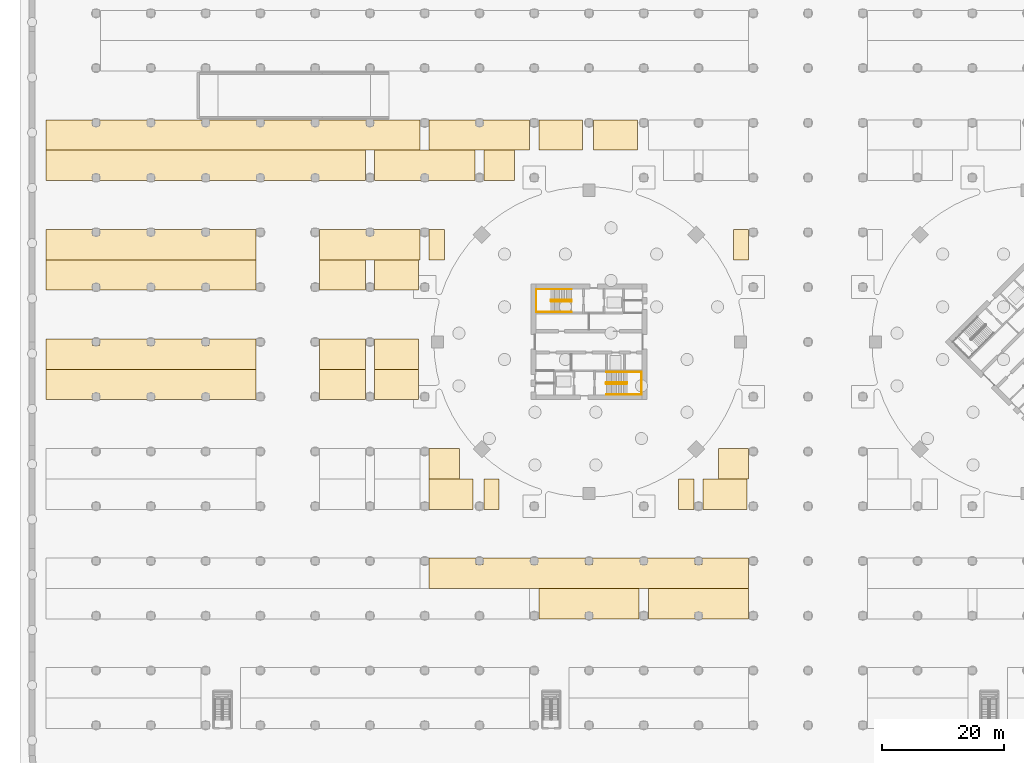
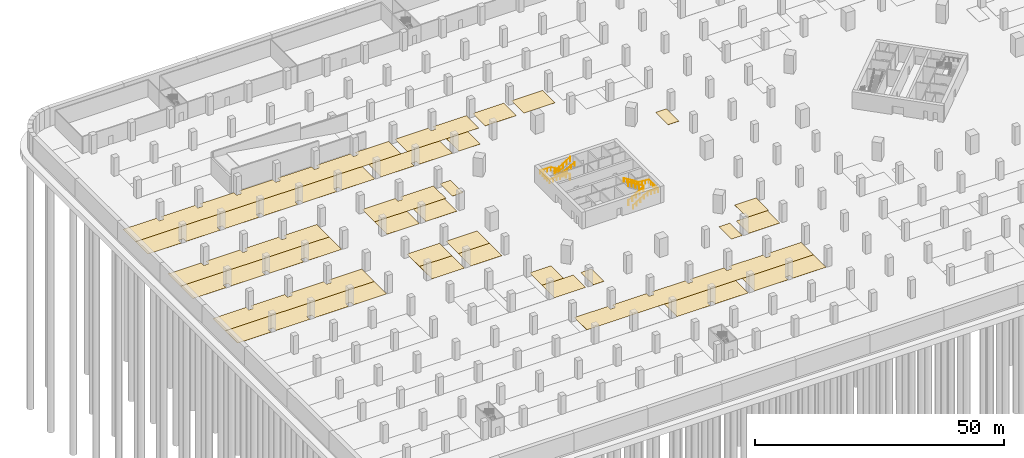
# One storey, part 28 of 39: 29 coverings, 4 railings.
"""IFC4 building model written with IfcOpenShell, lengths in metres."""

from ifc_helpers import new_model, si_unit, direction, frame, origin, origin_2d, place, context, subcontext, project, spatial, polyline, circle, outline, extrude, material, layer, layer_set, type_object, element, save


model = new_model("IFC4")

# Units and contexts
model_context = context("Model", 3, precision=1e-05, world=origin(), true_north=direction((0.0, 1.0)))
body_context = subcontext(model_context, "Body", "Model", "MODEL_VIEW")
ifc_project = project(units=[si_unit("LENGTHUNIT", "METRE"), si_unit("AREAUNIT", "SQUARE_METRE"), si_unit("VOLUMEUNIT", "CUBIC_METRE"), si_unit("PLANEANGLEUNIT", "RADIAN"), si_unit("MASSUNIT", "GRAM", prefix="KILO")], contexts=[model_context])

# Site, building, storey
site_placement = place(None, origin())
site = spatial("IfcSite", under=ifc_project, at=site_placement, CompositionType="ELEMENT")
building_placement = place(site_placement, origin())
building = spatial("IfcBuilding", under=site, at=building_placement, Name="Ogive Gate Towers", CompositionType="ELEMENT")
storey_placement = place(building_placement, frame((0.0, 0.0, -9.0)))
storey = spatial("IfcBuildingStorey", under=building, at=storey_placement, Name="B2", CompositionType="ELEMENT", Elevation=-9.0)

# Coverings
ifc_material_1 = material(Name="Painted floor marking")
ifc_layer_1 = layer(ifc_material_1, 0.02001953125)
ifc_layer_set_1 = layer_set([ifc_layer_1], Name="Accessible bay marking")
covering_type_1 = type_object("IfcCoveringType", Name="Accessible bay marking", PredefinedType="FLOORING", material=ifc_layer_set_1)
covering_1_placement = place(storey_placement, origin())
element("IfcCovering", 1, at=covering_1_placement, inside=storey, type_object=covering_type_1, Name="Accessible parking bays B2-078 to B2-079", PredefinedType="FLOORING", context=body_context, shape_type="SweptSolid", body=[
    extrude(outline(polyline([(-64.050048828125, 13.5), (-64.050048828125, 8.5), (-71.25, 8.5), (-71.25, 13.5), (-64.050048828125, 13.5)])), origin(), (0.0, 0.0, 1.0), 0.02001953125),
])
covering_2_placement = place(storey_placement, origin())
element("IfcCovering", 2, at=covering_2_placement, inside=storey, type_object=covering_type_1, Name="Accessible parking bays B2-191 to B2-192", PredefinedType="FLOORING", context=body_context, shape_type="SweptSolid", body=[
    extrude(outline(polyline([(-64.050048828125, -4.5), (-64.050048828125, -9.5), (-71.25, -9.5), (-71.25, -4.5), (-64.050048828125, -4.5)])), origin(), (0.0, 0.0, 1.0), 0.02001953125),
])
covering_3_placement = place(storey_placement, origin())
element("IfcCovering", 3, at=covering_3_placement, inside=storey, type_object=covering_type_1, Name="Accessible parking bays B2-228 to B2-229", PredefinedType="FLOORING", context=body_context, shape_type="SweptSolid", body=[
    extrude(outline(polyline([(-55.050048828125, -27.5), (-62.25, -27.5), (-62.25, -22.5), (-55.050048828125, -22.5), (-55.050048828125, -27.5)])), origin(), (0.0, 0.0, 1.0), 0.02001953125),
])
covering_4_placement = place(storey_placement, origin())
element("IfcCovering", 4, at=covering_4_placement, inside=storey, type_object=covering_type_1, Name="Accessible parking bays B2-232 to B2-233", PredefinedType="FLOORING", context=body_context, shape_type="SweptSolid", body=[
    extrude(outline(polyline([(-10.050048828125, -27.5), (-17.25, -27.5), (-17.25, -22.5), (-10.050048828125, -22.5), (-10.050048828125, -27.5)])), origin(), (0.0, 0.0, 1.0), 0.02001953125),
])
covering_5_placement = place(storey_placement, origin())
element("IfcCovering", 5, at=covering_5_placement, inside=storey, type_object=covering_type_1, Name="Accessible parking bays B2-458 to B2-459", PredefinedType="FLOORING", context=body_context, shape_type="SweptSolid", body=[
    extrude(outline(polyline([(-64.050048828125, 0.5), (-64.050048828125, -4.5), (-71.25, -4.5), (-71.25, 0.5), (-64.050048828125, 0.5)])), origin(), (0.0, 0.0, 1.0), 0.02001953125),
])
covering_6_placement = place(storey_placement, origin())
element("IfcCovering", 6, at=covering_6_placement, inside=storey, type_object=covering_type_1, Name="Accessible parking bays B2-504 to B2-505", PredefinedType="FLOORING", context=body_context, shape_type="SweptSolid", body=[
    extrude(outline(polyline([(-37.050048828125, 36.5), (-37.050048828125, 31.5), (-44.25, 31.5), (-44.25, 36.5), (-37.050048828125, 36.5)])), origin(), (0.0, 0.0, 1.0), 0.02001953125),
])
covering_7_placement = place(storey_placement, origin())
element("IfcCovering", 7, at=covering_7_placement, inside=storey, type_object=covering_type_1, Name="Accessible parking bays B2-506 to B2-507", PredefinedType="FLOORING", context=body_context, shape_type="SweptSolid", body=[
    extrude(outline(polyline([(-28.050048828125, 31.5), (-35.25, 31.5), (-35.25, 36.5), (-28.050048828125, 36.5), (-28.050048828125, 31.5)])), origin(), (0.0, 0.0, 1.0), 0.02001953125),
])
ifc_layer_2 = layer(ifc_material_1, 0.02001953125)
ifc_layer_set_2 = layer_set([ifc_layer_2], Name="Charging bay marking")
covering_type_2 = type_object("IfcCoveringType", Name="Charging bay marking", PredefinedType="FLOORING", material=ifc_layer_set_2)
covering_8_placement = place(storey_placement, origin())
element("IfcCovering", 8, at=covering_8_placement, inside=storey, type_object=covering_type_2, Name="Charging bays B2-019 to B2-024", PredefinedType="FLOORING", context=body_context, shape_type="SweptSolid", body=[
    extrude(outline(polyline([(-71.25, 31.5), (-54.75, 31.5), (-54.75, 26.5), (-62.449951171875, 26.5), (-62.449951171875, 27.550048828125), (-63.550048828125, 27.550048828125), (-63.550048828125, 26.5), (-71.25, 26.5), (-71.25, 31.5)])), origin(), (0.0, 0.0, 1.0), 0.02001953125),
])
covering_9_placement = place(storey_placement, origin())
element("IfcCovering", 9, at=covering_9_placement, inside=storey, type_object=covering_type_2, Name="Charging bays B2-075 to B2-077", PredefinedType="FLOORING", context=body_context, shape_type="SweptSolid", body=[
    extrude(outline(polyline([(-72.75, 13.5), (-72.75, 8.5), (-80.25, 8.5), (-80.25, 13.5), (-72.75, 13.5)])), origin(), (0.0, 0.0, 1.0), 0.02001953125),
])
covering_10_placement = place(storey_placement, origin())
element("IfcCovering", 10, at=covering_10_placement, inside=storey, type_object=covering_type_2, Name="Charging bays B2-188 to B2-190", PredefinedType="FLOORING", context=body_context, shape_type="SweptSolid", body=[
    extrude(outline(polyline([(-72.75, -4.5), (-72.75, -9.5), (-80.25, -9.5), (-80.25, -4.5), (-72.75, -4.5)])), origin(), (0.0, 0.0, 1.0), 0.02001953125),
])
covering_11_placement = place(storey_placement, origin())
element("IfcCovering", 11, at=covering_11_placement, inside=storey, type_object=covering_type_2, Name="Charging bays B2-285 to B2-290", PredefinedType="FLOORING", context=body_context, shape_type="SweptSolid", body=[
    extrude(outline(polyline([(-44.25, -40.5), (-27.75, -40.5), (-27.75, -45.5), (-35.449951171875, -45.5), (-35.449951171875, -44.449951171875), (-36.550048828125, -44.449951171875), (-36.550048828125, -45.5), (-44.25, -45.5), (-44.25, -40.5)])), origin(), (0.0, 0.0, 1.0), 0.02001953125),
])
covering_12_placement = place(storey_placement, origin())
element("IfcCovering", 12, at=covering_12_placement, inside=storey, type_object=covering_type_2, Name="Charging bays B2-415 to B2-420", PredefinedType="FLOORING", context=body_context, shape_type="SweptSolid", body=[
    extrude(outline(polyline([(-80.25, 18.5), (-72.550048828125, 18.5), (-72.550048828125, 17.449951171875), (-71.449951171875, 17.449951171875), (-71.449951171875, 18.5), (-63.75, 18.5), (-63.75, 13.5), (-80.25, 13.5), (-80.25, 18.5)])), origin(), (0.0, 0.0, 1.0), 0.02001953125),
])
covering_13_placement = place(storey_placement, origin())
element("IfcCovering", 13, at=covering_13_placement, inside=storey, type_object=covering_type_2, Name="Charging bays B2-455 to B2-457", PredefinedType="FLOORING", context=body_context, shape_type="SweptSolid", body=[
    extrude(outline(polyline([(-72.75, 0.5), (-72.75, -4.5), (-80.25, -4.5), (-80.25, 0.5), (-72.75, 0.5)])), origin(), (0.0, 0.0, 1.0), 0.02001953125),
])
covering_14_placement = place(storey_placement, origin())
element("IfcCovering", 14, at=covering_14_placement, inside=storey, type_object=covering_type_2, Name="Charging bays B2-498 to B2-503", PredefinedType="FLOORING", context=body_context, shape_type="SweptSolid", body=[
    extrude(outline(polyline([(-62.25, 36.5), (-54.550048828125, 36.5), (-54.550048828125, 35.449951171875), (-53.449951171875, 35.449951171875), (-53.449951171875, 36.5), (-45.75, 36.5), (-45.75, 31.5), (-62.25, 31.5), (-62.25, 36.5)])), origin(), (0.0, 0.0, 1.0), 0.02001953125),
])
covering_15_placement = place(storey_placement, origin())
element("IfcCovering", 15, at=covering_15_placement, inside=storey, type_object=covering_type_2, Name="Charging bays B2-692 to B2-709", PredefinedType="FLOORING", context=body_context, shape_type="SweptSolid", body=[
    extrude(outline(polyline([(-62.25, -35.5), (-54.550048828125, -35.5), (-54.550048828125, -36.550048828125), (-53.449951171875, -36.550048828125), (-53.449951171875, -35.5), (-45.550048828125, -35.5), (-45.550048828125, -36.550048828125), (-44.449951171875, -36.550048828125), (-44.449951171875, -35.5), (-36.550048828125, -35.5), (-36.550048828125, -36.550048828125), (-35.449951171875, -36.550048828125), (-35.449951171875, -35.5), (-27.550048828125, -35.5), (-27.550048828125, -36.550048828125), (-26.449951171875, -36.550048828125), (-26.449951171875, -35.5), (-18.550048828125, -35.5), (-18.550048828125, -36.550048828125), (-17.449951171875, -36.550048828125), (-17.449951171875, -35.5), (-9.75, -35.5), (-9.75, -40.5), (-62.25, -40.5), (-62.25, -35.5)])), origin(), (0.0, 0.0, 1.0), 0.02001953125),
])
ifc_layer_3 = layer(ifc_material_1, 0.02001953125)
ifc_layer_set_3 = layer_set([ifc_layer_3], Name="Parking bay marking")
covering_type_3 = type_object("IfcCoveringType", Name="Parking bay marking", PredefinedType="FLOORING", material=ifc_layer_set_3)
covering_16_placement = place(storey_placement, origin())
element("IfcCovering", 16, at=covering_16_placement, inside=storey, type_object=covering_type_3, Name="Parking bays B2-001 to B2-018", PredefinedType="FLOORING", context=body_context, shape_type="SweptSolid", body=[
    extrude(outline(polyline([(-125.25, 31.5), (-72.75, 31.5), (-72.75, 26.5), (-80.449951171875, 26.5), (-80.449951171875, 27.550048828125), (-81.550048828125, 27.550048828125), (-81.550048828125, 26.5), (-89.449951171875, 26.5), (-89.449951171875, 27.550048828125), (-90.550048828125, 27.550048828125), (-90.550048828125, 26.5), (-98.449951171875, 26.5), (-98.449951171875, 27.550048828125), (-99.550048828125, 27.550048828125), (-99.550048828125, 26.5), (-107.449951171875, 26.5), (-107.449951171875, 27.550048828125), (-108.550048828125, 27.550048828125), (-108.550048828125, 26.5), (-116.449951171875, 26.5), (-116.449951171875, 27.550048828125), (-117.550048828125, 27.550048828125), (-117.550048828125, 26.5), (-125.25, 26.5), (-125.25, 31.5)])), origin(), (0.0, 0.0, 1.0), 0.02001953125),
])
covering_17_placement = place(storey_placement, origin())
element("IfcCovering", 17, at=covering_17_placement, inside=storey, type_object=covering_type_3, Name="Parking bays B2-025 to B2-026", PredefinedType="FLOORING", context=body_context, shape_type="SweptSolid", body=[
    extrude(outline(polyline([(-53.25, 31.5), (-48.25, 31.5), (-48.25, 26.5), (-53.25, 26.5), (-53.25, 31.5)])), origin(), (0.0, 0.0, 1.0), 0.02001953125),
])
covering_18_placement = place(storey_placement, origin())
element("IfcCovering", 18, at=covering_18_placement, inside=storey, type_object=covering_type_3, Name="Parking bays B2-063 to B2-074", PredefinedType="FLOORING", context=body_context, shape_type="SweptSolid", body=[
    extrude(outline(polyline([(-125.25, 13.5), (-90.75, 13.5), (-90.75, 8.5), (-98.449951171875, 8.5), (-98.449951171875, 9.550048828125), (-99.550048828125, 9.550048828125), (-99.550048828125, 8.5), (-107.449951171875, 8.5), (-107.449951171875, 9.550048828125), (-108.550048828125, 9.550048828125), (-108.550048828125, 8.5), (-116.449951171875, 8.5), (-116.449951171875, 9.550048828125), (-117.550048828125, 9.550048828125), (-117.550048828125, 8.5), (-125.25, 8.5), (-125.25, 13.5)])), origin(), (0.0, 0.0, 1.0), 0.02001953125),
])
covering_19_placement = place(storey_placement, origin())
element("IfcCovering", 19, at=covering_19_placement, inside=storey, type_object=covering_type_3, Name="Parking bays B2-176 to B2-187", PredefinedType="FLOORING", context=body_context, shape_type="SweptSolid", body=[
    extrude(outline(polyline([(-125.25, -4.5), (-90.75, -4.5), (-90.75, -9.5), (-98.449951171875, -9.5), (-98.449951171875, -8.449951171875), (-99.550048828125, -8.449951171875), (-99.550048828125, -9.5), (-107.449951171875, -9.5), (-107.449951171875, -8.449951171875), (-108.550048828125, -8.449951171875), (-108.550048828125, -9.5), (-116.449951171875, -9.5), (-116.449951171875, -8.449951171875), (-117.550048828125, -8.449951171875), (-117.550048828125, -9.5), (-125.25, -9.5), (-125.25, -4.5)])), origin(), (0.0, 0.0, 1.0), 0.02001953125),
])
covering_20_placement = place(storey_placement, origin())
element("IfcCovering", 20, at=covering_20_placement, inside=storey, type_object=covering_type_3, Name="Parking bay B2-230", PredefinedType="FLOORING", context=body_context, shape_type="SweptSolid", body=[
    extrude(outline(polyline([(-53.25, -22.5), (-50.75, -22.5), (-50.75, -27.5), (-53.25, -27.5), (-53.25, -22.5)])), origin(), (0.0, 0.0, 1.0), 0.02001953125),
])
covering_21_placement = place(storey_placement, origin())
element("IfcCovering", 21, at=covering_21_placement, inside=storey, type_object=covering_type_3, Name="Parking bay B2-231", PredefinedType="FLOORING", context=body_context, shape_type="SweptSolid", body=[
    extrude(outline(polyline([(-21.25, -22.5), (-18.75, -22.5), (-18.75, -27.5), (-21.25, -27.5), (-21.25, -22.5)])), origin(), (0.0, 0.0, 1.0), 0.02001953125),
])
covering_22_placement = place(storey_placement, origin())
element("IfcCovering", 22, at=covering_22_placement, inside=storey, type_object=covering_type_3, Name="Parking bays B2-291 to B2-296", PredefinedType="FLOORING", context=body_context, shape_type="SweptSolid", body=[
    extrude(outline(polyline([(-9.75, -40.5), (-9.75, -45.5), (-17.449951171875, -45.5), (-17.449951171875, -44.449951171875), (-18.550048828125, -44.449951171875), (-18.550048828125, -45.5), (-26.25, -45.5), (-26.25, -40.5), (-9.75, -40.5)])), origin(), (0.0, 0.0, 1.0), 0.02001953125),
])
covering_23_placement = place(storey_placement, origin())
element("IfcCovering", 23, at=covering_23_placement, inside=storey, type_object=covering_type_3, Name="Parking bays B2-403 to B2-414", PredefinedType="FLOORING", context=body_context, shape_type="SweptSolid", body=[
    extrude(outline(polyline([(-125.25, 18.5), (-117.550048828125, 18.5), (-117.550048828125, 17.449951171875), (-116.449951171875, 17.449951171875), (-116.449951171875, 18.5), (-108.550048828125, 18.5), (-108.550048828125, 17.449951171875), (-107.449951171875, 17.449951171875), (-107.449951171875, 18.5), (-99.550048828125, 18.5), (-99.550048828125, 17.449951171875), (-98.449951171875, 17.449951171875), (-98.449951171875, 18.5), (-90.75, 18.5), (-90.75, 13.5), (-125.25, 13.5), (-125.25, 18.5)])), origin(), (0.0, 0.0, 1.0), 0.02001953125),
])
covering_24_placement = place(storey_placement, origin())
element("IfcCovering", 24, at=covering_24_placement, inside=storey, type_object=covering_type_3, Name="Parking bay B2-421", PredefinedType="FLOORING", context=body_context, shape_type="SweptSolid", body=[
    extrude(outline(polyline([(-62.25, 18.5), (-59.75, 18.5), (-59.75, 13.5), (-62.25, 13.5), (-62.25, 18.5)])), origin(), (0.0, 0.0, 1.0), 0.02001953125),
])
covering_25_placement = place(storey_placement, origin())
element("IfcCovering", 25, at=covering_25_placement, inside=storey, type_object=covering_type_3, Name="Parking bay B2-422", PredefinedType="FLOORING", context=body_context, shape_type="SweptSolid", body=[
    extrude(outline(polyline([(-12.25, 18.5), (-9.75, 18.5), (-9.75, 13.5), (-12.25, 13.5), (-12.25, 18.5)])), origin(), (0.0, 0.0, 1.0), 0.02001953125),
])
covering_26_placement = place(storey_placement, origin())
element("IfcCovering", 26, at=covering_26_placement, inside=storey, type_object=covering_type_3, Name="Parking bays B2-443 to B2-454", PredefinedType="FLOORING", context=body_context, shape_type="SweptSolid", body=[
    extrude(outline(polyline([(-125.25, 0.5), (-117.550048828125, 0.5), (-117.550048828125, -0.550048828125), (-116.449951171875, -0.550048828125), (-116.449951171875, 0.5), (-108.550048828125, 0.5), (-108.550048828125, -0.550048828125), (-107.449951171875, -0.550048828125), (-107.449951171875, 0.5), (-99.550048828125, 0.5), (-99.550048828125, -0.550048828125), (-98.449951171875, -0.550048828125), (-98.449951171875, 0.5), (-90.75, 0.5), (-90.75, -4.5), (-125.25, -4.5), (-125.25, 0.5)])), origin(), (0.0, 0.0, 1.0), 0.02001953125),
])
covering_27_placement = place(storey_placement, origin())
element("IfcCovering", 27, at=covering_27_placement, inside=storey, type_object=covering_type_3, Name="Parking bays B2-477 to B2-497", PredefinedType="FLOORING", context=body_context, shape_type="SweptSolid", body=[
    extrude(outline(polyline([(-125.25, 36.5), (-117.550048828125, 36.5), (-117.550048828125, 35.449951171875), (-116.449951171875, 35.449951171875), (-116.449951171875, 36.5), (-108.550048828125, 36.5), (-108.550048828125, 35.449951171875), (-107.449951171875, 35.449951171875), (-107.449951171875, 36.5), (-99.550048828125, 36.5), (-99.550048828125, 35.449951171875), (-98.449951171875, 35.449951171875), (-98.449951171875, 36.5), (-90.550048828125, 36.5), (-90.550048828125, 35.449951171875), (-89.449951171875, 35.449951171875), (-89.449951171875, 36.5), (-81.550048828125, 36.5), (-81.550048828125, 35.449951171875), (-80.449951171875, 35.449951171875), (-80.449951171875, 36.5), (-72.550048828125, 36.5), (-72.550048828125, 35.449951171875), (-71.449951171875, 35.449951171875), (-71.449951171875, 36.5), (-63.75, 36.5), (-63.75, 31.5), (-125.25, 31.5), (-125.25, 36.5)])), origin(), (0.0, 0.0, 1.0), 0.02001953125),
])
covering_28_placement = place(storey_placement, origin())
element("IfcCovering", 28, at=covering_28_placement, inside=storey, type_object=covering_type_3, Name="Parking bays B2-645 to B2-646", PredefinedType="FLOORING", context=body_context, shape_type="SweptSolid", body=[
    extrude(outline(polyline([(-62.25, -17.5), (-57.25, -17.5), (-57.25, -22.5), (-62.25, -22.5), (-62.25, -17.5)])), origin(), (0.0, 0.0, 1.0), 0.02001953125),
])
covering_29_placement = place(storey_placement, origin())
element("IfcCovering", 29, at=covering_29_placement, inside=storey, type_object=covering_type_3, Name="Parking bays B2-647 to B2-648", PredefinedType="FLOORING", context=body_context, shape_type="SweptSolid", body=[
    extrude(outline(polyline([(-14.75, -17.5), (-9.75, -17.5), (-9.75, -22.5), (-14.75, -22.5), (-14.75, -17.5)])), origin(), (0.0, 0.0, 1.0), 0.02001953125),
])

# Railings
ifc_material_2 = material(Name="Stainless steel", Category="steel")
railing_type_1 = type_object("IfcRailingType", Name="Stair guard 1100", PredefinedType="GUARDRAIL", material=ifc_material_2)
railing_1_placement = place(storey_placement, frame((-38.81494140625, 6.860107421875, 0.0)))
element("IfcRailing", 30, at=railing_1_placement, inside=storey, type_object=railing_type_1, Name="B2 ST1 stair guard 1", PredefinedType="GUARDRAIL", context=body_context, shape_type="SweptSolid", body=[
    extrude(circle(Radius=0.02392578125, at=origin_2d()), frame((0.0, 0.0, 1.076171875), z_axis=(0.0, -1.0, 0.0), x_axis=(1.0, 0.0, 0.0)), (0.0, 0.0, 1.0), 0.14501953125),
    extrude(circle(Radius=0.02392578125, at=origin_2d()), frame((0.0, -0.14501953125, 1.076171875), z_axis=(-0.188597165029, 0.734148964356, 0.652270195148), x_axis=(-0.968551454522, -0.24881334358, 0.0)), (0.0, 0.0, 1.0), 0.265380859375),
    extrude(circle(Radius=0.02392578125, at=origin_2d()), frame((-0.050048828125, 0.0498046875, 1.2490234375), z_axis=(-0.850623216509, 0.0, 0.525775754039), x_axis=(0.0, -1.0, 0.0)), (0.0, 0.0, 1.0), 3.9501953125),
    extrude(circle(Radius=0.02392578125, at=origin_2d()), frame((-3.41015625, 0.0498046875, 3.326171875), z_axis=(-0.707106781187, -0.707106781187, 0.0), x_axis=(0.707106781187, -0.707106781187, 0.0)), (0.0, 0.0, 1.0), 0.0703125),
    extrude(circle(Radius=0.02392578125, at=origin_2d()), frame((-3.4599609375, 0.0, 3.326171875), z_axis=(0.0, -1.0, 0.0), x_axis=(1.0, 0.0, 0.0)), (0.0, 0.0, 1.0), 0.14501953125),
    extrude(circle(Radius=0.02392578125, at=origin_2d()), frame((-3.4599609375, -0.14501953125, 3.326171875), z_axis=(0.266417085129, -0.267723051232, 0.925929967433), x_axis=(0.708833529934, 0.705375805398, 0.0)), (0.0, 0.0, 1.0), 0.18701171875),
    extrude(circle(Radius=0.02392578125, at=origin_2d()), frame((-3.41015625, -0.195068359375, 3.4990234375), z_axis=(0.850623216509, 0.0, 0.525775754039), x_axis=(0.0, 1.0, 0.0)), (0.0, 0.0, 1.0), 3.9501953125),
    extrude(circle(Radius=0.02099609375, at=origin_2d()), origin(), (0.0, 0.0, 1.0), 1.052001953125),
    extrude(circle(Radius=0.02099609375, at=origin_2d()), frame((0.0, -0.14501953125, 0.0)), (0.0, 0.0, 1.0), 1.052001953125),
    extrude(circle(Radius=0.02099609375, at=origin_2d()), frame((-0.050048828125, 0.0498046875, 0.173095703125)), (0.0, 0.0, 1.0), 1.052001953125),
    extrude(circle(Radius=0.02099609375, at=origin_2d()), frame((-0.89013671875, 0.0498046875, 0.6923828125)), (0.0, 0.0, 1.0), 1.052001953125),
    extrude(circle(Radius=0.02099609375, at=origin_2d()), frame((-1.72998046875, 0.0498046875, 1.21142578125)), (0.0, 0.0, 1.0), 1.052001953125),
    extrude(circle(Radius=0.02099609375, at=origin_2d()), frame((-2.570068359375, 0.0498046875, 1.730712890625)), (0.0, 0.0, 1.0), 1.052001953125),
    extrude(circle(Radius=0.02099609375, at=origin_2d()), frame((-3.41015625, 0.0498046875, 2.25)), (0.0, 0.0, 1.0), 1.052001953125),
    extrude(circle(Radius=0.02099609375, at=origin_2d()), frame((-3.4599609375, 0.0, 2.25)), (0.0, 0.0, 1.0), 1.052001953125),
    extrude(circle(Radius=0.02099609375, at=origin_2d()), frame((-3.4599609375, -0.14501953125, 2.25)), (0.0, 0.0, 1.0), 1.052001953125),
    extrude(circle(Radius=0.02099609375, at=origin_2d()), frame((-3.41015625, -0.195068359375, 2.423095703125)), (0.0, 0.0, 1.0), 1.052001953125),
    extrude(circle(Radius=0.02099609375, at=origin_2d()), frame((-2.570068359375, -0.195068359375, 2.9423828125)), (0.0, 0.0, 1.0), 1.052001953125),
    extrude(circle(Radius=0.02099609375, at=origin_2d()), frame((-1.72998046875, -0.195068359375, 3.46142578125)), (0.0, 0.0, 1.0), 1.052001953125),
    extrude(circle(Radius=0.02099609375, at=origin_2d()), frame((-0.89013671875, -0.195068359375, 3.980712890625)), (0.0, 0.0, 1.0), 1.052001953125),
    extrude(circle(Radius=0.02099609375, at=origin_2d()), frame((-0.050048828125, -0.195068359375, 4.5)), (0.0, 0.0, 1.0), 1.052001953125),
])
railing_2_placement = place(storey_placement, frame((-33.18505859375, -6.860107421875, 0.0)))
element("IfcRailing", 31, at=railing_2_placement, inside=storey, type_object=railing_type_1, Name="B2 ST2 stair guard 1", PredefinedType="GUARDRAIL", context=body_context, shape_type="SweptSolid", body=[
    extrude(circle(Radius=0.02392578125, at=origin_2d()), frame((0.0, 0.0, 1.076171875), z_axis=(0.0, 1.0, 0.0), x_axis=(-1.0, 0.0, 0.0)), (0.0, 0.0, 1.0), 0.14501953125),
    extrude(circle(Radius=0.02392578125, at=origin_2d()), frame((0.0, 0.14501953125, 1.076171875), z_axis=(0.188597165029, -0.734148964356, 0.652270195148), x_axis=(0.968551454522, 0.24881334358, 0.0)), (0.0, 0.0, 1.0), 0.265380859375),
    extrude(circle(Radius=0.02392578125, at=origin_2d()), frame((0.050048828125, -0.0498046875, 1.2490234375), z_axis=(0.850623216509, 0.0, 0.525775754039), x_axis=(0.0, 1.0, 0.0)), (0.0, 0.0, 1.0), 3.9501953125),
    extrude(circle(Radius=0.02392578125, at=origin_2d()), frame((3.41015625, -0.0498046875, 3.326171875), z_axis=(0.707106781187, 0.707106781187, 0.0), x_axis=(-0.707106781187, 0.707106781187, 0.0)), (0.0, 0.0, 1.0), 0.0703125),
    extrude(circle(Radius=0.02392578125, at=origin_2d()), frame((3.4599609375, 0.0, 3.326171875), z_axis=(0.0, 1.0, 0.0), x_axis=(-1.0, 0.0, 0.0)), (0.0, 0.0, 1.0), 0.14501953125),
    extrude(circle(Radius=0.02392578125, at=origin_2d()), frame((3.4599609375, 0.14501953125, 3.326171875), z_axis=(-0.266417085129, 0.267723051232, 0.925929967433), x_axis=(-0.708833529934, -0.705375805398, 0.0)), (0.0, 0.0, 1.0), 0.18701171875),
    extrude(circle(Radius=0.02392578125, at=origin_2d()), frame((3.41015625, 0.195068359375, 3.4990234375), z_axis=(-0.850623216509, 0.0, 0.525775754039), x_axis=(0.0, -1.0, 0.0)), (0.0, 0.0, 1.0), 3.9501953125),
    extrude(circle(Radius=0.02099609375, at=origin_2d()), origin(), (0.0, 0.0, 1.0), 1.052001953125),
    extrude(circle(Radius=0.02099609375, at=origin_2d()), frame((0.0, 0.14501953125, 0.0)), (0.0, 0.0, 1.0), 1.052001953125),
    extrude(circle(Radius=0.02099609375, at=origin_2d()), frame((0.050048828125, -0.0498046875, 0.173095703125)), (0.0, 0.0, 1.0), 1.052001953125),
    extrude(circle(Radius=0.02099609375, at=origin_2d()), frame((0.89013671875, -0.0498046875, 0.6923828125)), (0.0, 0.0, 1.0), 1.052001953125),
    extrude(circle(Radius=0.02099609375, at=origin_2d()), frame((1.72998046875, -0.0498046875, 1.21142578125)), (0.0, 0.0, 1.0), 1.052001953125),
    extrude(circle(Radius=0.02099609375, at=origin_2d()), frame((2.570068359375, -0.0498046875, 1.730712890625)), (0.0, 0.0, 1.0), 1.052001953125),
    extrude(circle(Radius=0.02099609375, at=origin_2d()), frame((3.41015625, -0.0498046875, 2.25)), (0.0, 0.0, 1.0), 1.052001953125),
    extrude(circle(Radius=0.02099609375, at=origin_2d()), frame((3.4599609375, 0.0, 2.25)), (0.0, 0.0, 1.0), 1.052001953125),
    extrude(circle(Radius=0.02099609375, at=origin_2d()), frame((3.4599609375, 0.14501953125, 2.25)), (0.0, 0.0, 1.0), 1.052001953125),
    extrude(circle(Radius=0.02099609375, at=origin_2d()), frame((3.41015625, 0.195068359375, 2.423095703125)), (0.0, 0.0, 1.0), 1.052001953125),
    extrude(circle(Radius=0.02099609375, at=origin_2d()), frame((2.570068359375, 0.195068359375, 2.9423828125)), (0.0, 0.0, 1.0), 1.052001953125),
    extrude(circle(Radius=0.02099609375, at=origin_2d()), frame((1.72998046875, 0.195068359375, 3.46142578125)), (0.0, 0.0, 1.0), 1.052001953125),
    extrude(circle(Radius=0.02099609375, at=origin_2d()), frame((0.89013671875, 0.195068359375, 3.980712890625)), (0.0, 0.0, 1.0), 1.052001953125),
    extrude(circle(Radius=0.02099609375, at=origin_2d()), frame((0.050048828125, 0.195068359375, 4.5)), (0.0, 0.0, 1.0), 1.052001953125),
])
railing_type_2 = type_object("IfcRailingType", Name="Stair handrail 900", PredefinedType="HANDRAIL", material=ifc_material_2)
railing_3_placement = place(storey_placement, frame((-38.864990234375, 8.64990234375, 0.173095703125)))
element("IfcRailing", 32, at=railing_3_placement, inside=storey, type_object=railing_type_2, Name="B2 ST1 stair handrail 1", PredefinedType="HANDRAIL", context=body_context, shape_type="SweptSolid", body=[
    extrude(circle(Radius=0.02392578125, at=origin_2d()), frame((0.0, 0.0, 0.8759765625), z_axis=(-0.850623216509, 0.0, 0.525775754039), x_axis=(0.0, -1.0, 0.0)), (0.0, 0.0, 1.0), 3.9501953125),
    extrude(circle(Radius=0.02392578125, at=origin_2d()), frame((-3.360107421875, 0.0, 2.95263671875), z_axis=(-1.0, 0.0, 0.0), x_axis=(0.0, -1.0, 0.0)), (0.0, 0.0, 1.0), 2.4248046875),
    extrude(circle(Radius=0.02392578125, at=origin_2d()), frame((-5.784912109375, 0.0, 2.95263671875), z_axis=(0.0, -1.0, 0.0), x_axis=(1.0, 0.0, 0.0)), (0.0, 0.0, 1.0), 3.724853515625),
    extrude(circle(Radius=0.02392578125, at=origin_2d()), frame((-5.784912109375, -3.724853515625, 2.95263671875), z_axis=(0.997461757666, 0.0, 0.071204227365), x_axis=(0.0, 1.0, 0.0)), (0.0, 0.0, 1.0), 2.430908203125),
    extrude(circle(Radius=0.02392578125, at=origin_2d()), frame((-3.360107421875, -3.724853515625, 3.1259765625), z_axis=(0.850623216509, 0.0, 0.525775754039), x_axis=(0.0, 1.0, 0.0)), (0.0, 0.0, 1.0), 3.9501953125),
    extrude(circle(Radius=0.02099609375, at=origin_2d()), origin(), (0.0, 0.0, 1.0), 0.851806640625),
    extrude(circle(Radius=0.02099609375, at=origin_2d()), frame((-0.840087890625, 0.0, 0.519287109375)), (0.0, 0.0, 1.0), 0.851806640625),
    extrude(circle(Radius=0.02099609375, at=origin_2d()), frame((-1.68017578125, 0.0, 1.03857421875)), (0.0, 0.0, 1.0), 0.851806640625),
    extrude(circle(Radius=0.02099609375, at=origin_2d()), frame((-2.52001953125, 0.0, 1.5576171875)), (0.0, 0.0, 1.0), 0.851806640625),
    extrude(circle(Radius=0.02099609375, at=origin_2d()), frame((-3.360107421875, 0.0, 2.076904296875)), (0.0, 0.0, 1.0), 0.851806640625),
    extrude(circle(Radius=0.02099609375, at=origin_2d()), frame((-4.16845703125, 0.0, 2.076904296875)), (0.0, 0.0, 1.0), 0.851806640625),
    extrude(circle(Radius=0.02099609375, at=origin_2d()), frame((-4.9765625, 0.0, 2.076904296875)), (0.0, 0.0, 1.0), 0.851806640625),
    extrude(circle(Radius=0.02099609375, at=origin_2d()), frame((-5.784912109375, 0.0, 2.076904296875)), (0.0, 0.0, 1.0), 0.851806640625),
    extrude(circle(Radius=0.02099609375, at=origin_2d()), frame((-5.784912109375, -0.93115234375, 2.076904296875)), (0.0, 0.0, 1.0), 0.851806640625),
    extrude(circle(Radius=0.02099609375, at=origin_2d()), frame((-5.784912109375, -1.8623046875, 2.076904296875)), (0.0, 0.0, 1.0), 0.851806640625),
    extrude(circle(Radius=0.02099609375, at=origin_2d()), frame((-5.784912109375, -2.793701171875, 2.076904296875)), (0.0, 0.0, 1.0), 0.851806640625),
    extrude(circle(Radius=0.02099609375, at=origin_2d()), frame((-5.784912109375, -3.724853515625, 2.076904296875)), (0.0, 0.0, 1.0), 0.851806640625),
    extrude(circle(Radius=0.02099609375, at=origin_2d()), frame((-4.9765625, -3.724853515625, 2.134521484375)), (0.0, 0.0, 1.0), 0.851806640625),
    extrude(circle(Radius=0.02099609375, at=origin_2d()), frame((-4.16845703125, -3.724853515625, 2.1923828125)), (0.0, 0.0, 1.0), 0.851806640625),
    extrude(circle(Radius=0.02099609375, at=origin_2d()), frame((-3.360107421875, -3.724853515625, 2.25)), (0.0, 0.0, 1.0), 0.851806640625),
    extrude(circle(Radius=0.02099609375, at=origin_2d()), frame((-2.52001953125, -3.724853515625, 2.769287109375)), (0.0, 0.0, 1.0), 0.851806640625),
    extrude(circle(Radius=0.02099609375, at=origin_2d()), frame((-1.68017578125, -3.724853515625, 3.28857421875)), (0.0, 0.0, 1.0), 0.851806640625),
    extrude(circle(Radius=0.02099609375, at=origin_2d()), frame((-0.840087890625, -3.724853515625, 3.8076171875)), (0.0, 0.0, 1.0), 0.851806640625),
    extrude(circle(Radius=0.02099609375, at=origin_2d()), frame((0.0, -3.724853515625, 4.326904296875)), (0.0, 0.0, 1.0), 0.851806640625),
])
railing_4_placement = place(storey_placement, frame((-33.135009765625, -8.64990234375, 0.173095703125)))
element("IfcRailing", 33, at=railing_4_placement, inside=storey, type_object=railing_type_2, Name="B2 ST2 stair handrail 1", PredefinedType="HANDRAIL", context=body_context, shape_type="SweptSolid", body=[
    extrude(circle(Radius=0.02392578125, at=origin_2d()), frame((0.0, 0.0, 0.8759765625), z_axis=(0.850623216509, 0.0, 0.525775754039), x_axis=(0.0, 1.0, 0.0)), (0.0, 0.0, 1.0), 3.9501953125),
    extrude(circle(Radius=0.02392578125, at=origin_2d()), frame((3.360107421875, 0.0, 2.95263671875), z_axis=(1.0, 0.0, 0.0), x_axis=(0.0, 1.0, 0.0)), (0.0, 0.0, 1.0), 2.4248046875),
    extrude(circle(Radius=0.02392578125, at=origin_2d()), frame((5.784912109375, 0.0, 2.95263671875), z_axis=(0.0, 1.0, 0.0), x_axis=(-1.0, 0.0, 0.0)), (0.0, 0.0, 1.0), 3.724853515625),
    extrude(circle(Radius=0.02392578125, at=origin_2d()), frame((5.784912109375, 3.724853515625, 2.95263671875), z_axis=(-0.997461757666, 0.0, 0.071204227365), x_axis=(0.0, -1.0, 0.0)), (0.0, 0.0, 1.0), 2.430908203125),
    extrude(circle(Radius=0.02392578125, at=origin_2d()), frame((3.360107421875, 3.724853515625, 3.1259765625), z_axis=(-0.850623216509, 0.0, 0.525775754039), x_axis=(0.0, -1.0, 0.0)), (0.0, 0.0, 1.0), 3.9501953125),
    extrude(circle(Radius=0.02099609375, at=origin_2d()), origin(), (0.0, 0.0, 1.0), 0.851806640625),
    extrude(circle(Radius=0.02099609375, at=origin_2d()), frame((0.840087890625, 0.0, 0.519287109375)), (0.0, 0.0, 1.0), 0.851806640625),
    extrude(circle(Radius=0.02099609375, at=origin_2d()), frame((1.68017578125, 0.0, 1.03857421875)), (0.0, 0.0, 1.0), 0.851806640625),
    extrude(circle(Radius=0.02099609375, at=origin_2d()), frame((2.52001953125, 0.0, 1.5576171875)), (0.0, 0.0, 1.0), 0.851806640625),
    extrude(circle(Radius=0.02099609375, at=origin_2d()), frame((3.360107421875, 0.0, 2.076904296875)), (0.0, 0.0, 1.0), 0.851806640625),
    extrude(circle(Radius=0.02099609375, at=origin_2d()), frame((4.16845703125, 0.0, 2.076904296875)), (0.0, 0.0, 1.0), 0.851806640625),
    extrude(circle(Radius=0.02099609375, at=origin_2d()), frame((4.9765625, 0.0, 2.076904296875)), (0.0, 0.0, 1.0), 0.851806640625),
    extrude(circle(Radius=0.02099609375, at=origin_2d()), frame((5.784912109375, 0.0, 2.076904296875)), (0.0, 0.0, 1.0), 0.851806640625),
    extrude(circle(Radius=0.02099609375, at=origin_2d()), frame((5.784912109375, 0.93115234375, 2.076904296875)), (0.0, 0.0, 1.0), 0.851806640625),
    extrude(circle(Radius=0.02099609375, at=origin_2d()), frame((5.784912109375, 1.8623046875, 2.076904296875)), (0.0, 0.0, 1.0), 0.851806640625),
    extrude(circle(Radius=0.02099609375, at=origin_2d()), frame((5.784912109375, 2.793701171875, 2.076904296875)), (0.0, 0.0, 1.0), 0.851806640625),
    extrude(circle(Radius=0.02099609375, at=origin_2d()), frame((5.784912109375, 3.724853515625, 2.076904296875)), (0.0, 0.0, 1.0), 0.851806640625),
    extrude(circle(Radius=0.02099609375, at=origin_2d()), frame((4.9765625, 3.724853515625, 2.134521484375)), (0.0, 0.0, 1.0), 0.851806640625),
    extrude(circle(Radius=0.02099609375, at=origin_2d()), frame((4.16845703125, 3.724853515625, 2.1923828125)), (0.0, 0.0, 1.0), 0.851806640625),
    extrude(circle(Radius=0.02099609375, at=origin_2d()), frame((3.360107421875, 3.724853515625, 2.25)), (0.0, 0.0, 1.0), 0.851806640625),
    extrude(circle(Radius=0.02099609375, at=origin_2d()), frame((2.52001953125, 3.724853515625, 2.769287109375)), (0.0, 0.0, 1.0), 0.851806640625),
    extrude(circle(Radius=0.02099609375, at=origin_2d()), frame((1.68017578125, 3.724853515625, 3.28857421875)), (0.0, 0.0, 1.0), 0.851806640625),
    extrude(circle(Radius=0.02099609375, at=origin_2d()), frame((0.840087890625, 3.724853515625, 3.8076171875)), (0.0, 0.0, 1.0), 0.851806640625),
    extrude(circle(Radius=0.02099609375, at=origin_2d()), frame((0.0, 3.724853515625, 4.326904296875)), (0.0, 0.0, 1.0), 0.851806640625),
])

save(model, "model.ifc")
